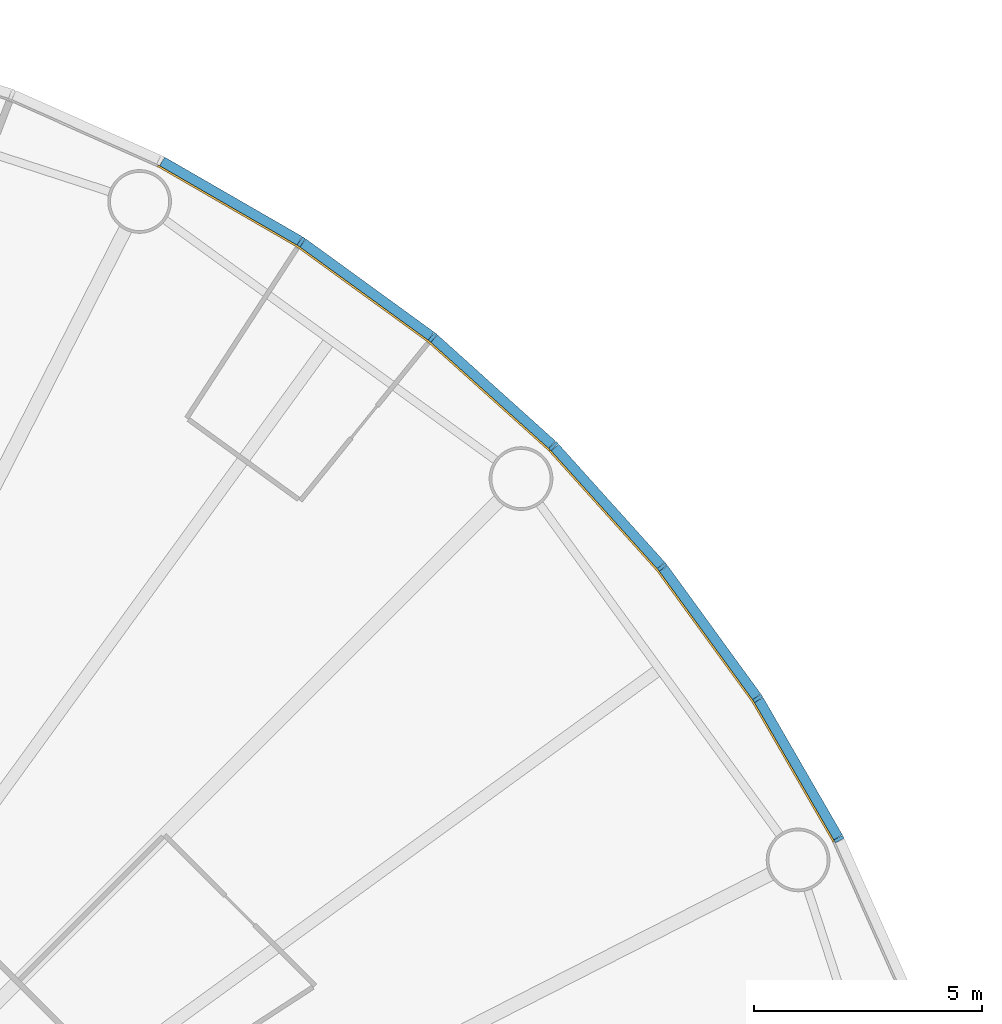
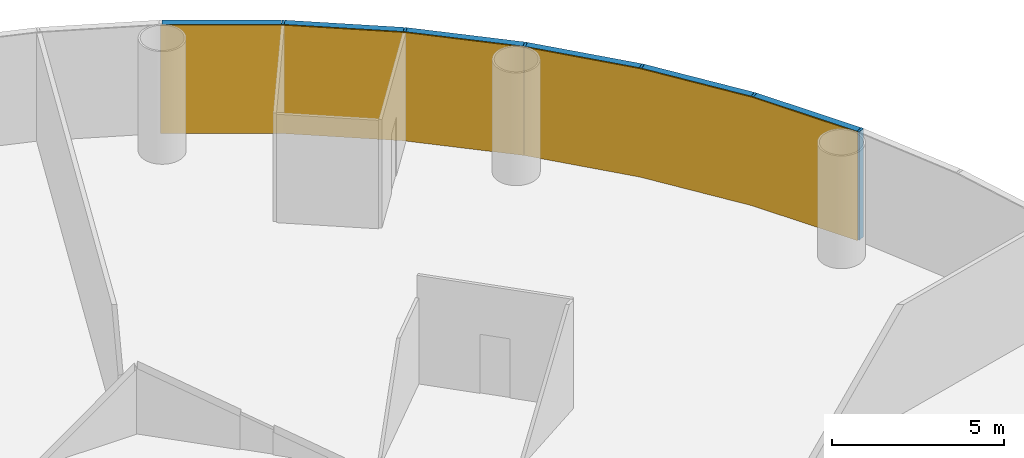
# One storey, part 10 of 13: 12 members, 2 curtain walls.
"""IFC4 building model written with IfcOpenShell, lengths in metres."""

from ifc_helpers import new_model, si_unit, direction, frame, origin, origin_2d, place, context, subcontext, project, spatial, polyline, rectangle, outline, extrude, material, layer, layer_set, material_profile, profile_set, type_object, element, aggregate, save


model = new_model("IFC4")

# Units and contexts
model_context = context("Model", 3, precision=1e-05, world=origin(), true_north=direction((0.0, 1.0)))
body_context = subcontext(model_context, "Body", "Model", "MODEL_VIEW")
ifc_project = project(units=[si_unit("LENGTHUNIT", "METRE"), si_unit("AREAUNIT", "SQUARE_METRE"), si_unit("VOLUMEUNIT", "CUBIC_METRE"), si_unit("PLANEANGLEUNIT", "RADIAN"), si_unit("MASSUNIT", "GRAM", prefix="KILO")], contexts=[model_context])

# Member
ifc_material_1 = material(Name="Anodised aluminium", Category="aluminium")
ifc_material_profile_1 = material_profile(ifc_material_1, rectangle(XDim=0.074951171875, YDim=0.219970703125, at=origin_2d()), Name="Mullion 75 x 220 mm anodised aluminium")
ifc_profile_set_1 = profile_set([ifc_material_profile_1], Name="Anodised aluminium")
member_type_1 = type_object("IfcMemberType", Name="Mullion 75 x 220 mm anodised aluminium", PredefinedType="MULLION", material=ifc_profile_set_1)
site_placement = place(None, origin())
building_placement = place(site_placement, origin())
storey_placement = place(building_placement, frame((0.0, 0.0, 22.0)))
member_1_placement = place(storey_placement, frame((120.392333984375, 95.485595703125, 0.0), z_axis=(0.0, 0.0, 1.0), x_axis=(-0.45399049974, 0.891006524188, 0.0)))
member_1 = element("IfcMember", 1, at=member_1_placement, type_object=member_type_1, Name="MULLION L03-03", PredefinedType="MULLION", context=body_context, shape_type="SweptSolid", body=[
    extrude(rectangle(XDim=0.074951171875, YDim=0.219970703125, at=origin_2d()), origin(), (0.0, 0.0, 1.0), 3.85009765625),
])

member_2_placement = place(storey_placement, frame((118.60693359375, 98.57763671875, 0.0), z_axis=(0.0, 0.0, 1.0), x_axis=(-0.544639035015, 0.838670567945, 0.0)))
member_2 = element("IfcMember", 2, at=member_2_placement, type_object=member_type_1, Name="MULLION L03-04", PredefinedType="MULLION", context=body_context, shape_type="SweptSolid", body=[
    extrude(rectangle(XDim=0.074951171875, YDim=0.219970703125, at=origin_2d()), origin(), (0.0, 0.0, 1.0), 3.85009765625),
])

member_3_placement = place(storey_placement, frame((116.508544921875, 101.466064453125, 0.0), z_axis=(0.0, 0.0, 1.0), x_axis=(-0.62932039105, 0.777145961457, 0.0)))
member_3 = element("IfcMember", 3, at=member_3_placement, type_object=member_type_1, Name="MULLION L03-05", PredefinedType="MULLION", context=body_context, shape_type="SweptSolid", body=[
    extrude(rectangle(XDim=0.074951171875, YDim=0.219970703125, at=origin_2d()), origin(), (0.0, 0.0, 1.0), 3.85009765625),
])

member_4_placement = place(storey_placement, frame((114.119384765625, 104.119384765625, 0.0), z_axis=(0.0, 0.0, 1.0), x_axis=(-0.707106781187, 0.707106781187, 0.0)))
member_4 = element("IfcMember", 4, at=member_4_placement, type_object=member_type_1, Name="MULLION L03-06", PredefinedType="MULLION", context=body_context, shape_type="SweptSolid", body=[
    extrude(rectangle(XDim=0.074951171875, YDim=0.219970703125, at=origin_2d()), origin(), (0.0, 0.0, 1.0), 3.85009765625),
])

member_5_placement = place(storey_placement, frame((111.466064453125, 106.508544921875, 0.0), z_axis=(0.0, 0.0, 1.0), x_axis=(-0.777145961457, 0.62932039105, 0.0)))
member_5 = element("IfcMember", 5, at=member_5_placement, type_object=member_type_1, Name="MULLION L03-07", PredefinedType="MULLION", context=body_context, shape_type="SweptSolid", body=[
    extrude(rectangle(XDim=0.074951171875, YDim=0.219970703125, at=origin_2d()), origin(), (0.0, 0.0, 1.0), 3.85009765625),
])

member_6_placement = place(storey_placement, frame((108.57763671875, 108.60693359375, 0.0), z_axis=(0.0, 0.0, 1.0), x_axis=(-0.838670567945, 0.544639035015, 0.0)))
member_6 = element("IfcMember", 6, at=member_6_placement, type_object=member_type_1, Name="MULLION L03-08", PredefinedType="MULLION", context=body_context, shape_type="SweptSolid", body=[
    extrude(rectangle(XDim=0.074951171875, YDim=0.219970703125, at=origin_2d()), origin(), (0.0, 0.0, 1.0), 3.85009765625),
])

ifc_material_2 = material(Name="Anodised aluminium", Category="aluminium")
ifc_material_profile_2 = material_profile(ifc_material_2, rectangle(XDim=0.219970703125, YDim=0.199951171875, at=origin_2d()), Name="Transom 200 x 220 mm anodised aluminium")
ifc_profile_set_2 = profile_set([ifc_material_profile_2], Name="Anodised aluminium")
member_type_2 = type_object("IfcMemberType", Name="Transom 200 x 220 mm anodised aluminium", PredefinedType="USERDEFINED", material=ifc_profile_set_2)
member_7_placement = place(storey_placement, frame((120.370849609375, 95.523193359375, 3.75), z_axis=(-0.500005538244, 0.866022206254, 0.0), x_axis=(-0.866022206254, -0.500005538244, 0.0)))
member_7 = element("IfcMember", 7, at=member_7_placement, type_object=member_type_2, Name="TRANSOM L03-03", ObjectType="TRANSOM", PredefinedType="USERDEFINED", context=body_context, shape_type="SweptSolid", body=[
    extrude(rectangle(XDim=0.219970703125, YDim=0.199951171875, at=origin_2d()), origin(), (0.0, 0.0, 1.0), 3.48388671875),
])

member_8_placement = place(storey_placement, frame((118.581787109375, 98.61279296875, 3.75), z_axis=(-0.587821627006, 0.80899056535, 0.0), x_axis=(-0.80899056535, -0.587821627006, 0.0)))
member_8 = element("IfcMember", 8, at=member_8_placement, type_object=member_type_2, Name="TRANSOM L03-04", ObjectType="TRANSOM", PredefinedType="USERDEFINED", context=body_context, shape_type="SweptSolid", body=[
    extrude(rectangle(XDim=0.219970703125, YDim=0.199951171875, at=origin_2d()), origin(), (0.0, 0.0, 1.0), 3.48388671875),
])

member_9_placement = place(storey_placement, frame((116.479736328125, 101.498291015625, 3.75), z_axis=(-0.669138930974, 0.743137329876, 0.0), x_axis=(-0.743137329876, -0.669138930974, 0.0)))
member_9 = element("IfcMember", 9, at=member_9_placement, type_object=member_type_2, Name="TRANSOM L03-05", ObjectType="TRANSOM", PredefinedType="USERDEFINED", context=body_context, shape_type="SweptSolid", body=[
    extrude(rectangle(XDim=0.219970703125, YDim=0.199951171875, at=origin_2d()), origin(), (0.0, 0.0, 1.0), 3.484130859375),
])

member_10_placement = place(storey_placement, frame((114.08740234375, 104.1484375, 3.75), z_axis=(-0.743137329876, 0.669138930974, 0.0), x_axis=(-0.669138930974, -0.743137329876, 0.0)))
member_10 = element("IfcMember", 10, at=member_10_placement, type_object=member_type_2, Name="TRANSOM L03-06", ObjectType="TRANSOM", PredefinedType="USERDEFINED", context=body_context, shape_type="SweptSolid", body=[
    extrude(rectangle(XDim=0.219970703125, YDim=0.199951171875, at=origin_2d()), origin(), (0.0, 0.0, 1.0), 3.484130859375),
])

member_11_placement = place(storey_placement, frame((111.43115234375, 106.533935546875, 3.75), z_axis=(-0.80899056535, 0.587821627006, 0.0), x_axis=(-0.587821627006, -0.80899056535, 0.0)))
member_11 = element("IfcMember", 11, at=member_11_placement, type_object=member_type_2, Name="TRANSOM L03-07", ObjectType="TRANSOM", PredefinedType="USERDEFINED", context=body_context, shape_type="SweptSolid", body=[
    extrude(rectangle(XDim=0.219970703125, YDim=0.199951171875, at=origin_2d()), origin(), (0.0, 0.0, 1.0), 3.48388671875),
])

member_12_placement = place(storey_placement, frame((108.540283203125, 108.62890625, 3.75), z_axis=(-0.866022206254, 0.500005538244, 0.0), x_axis=(-0.500005538244, -0.866022206254, 0.0)))
member_12 = element("IfcMember", 12, at=member_12_placement, type_object=member_type_2, Name="TRANSOM L03-08", ObjectType="TRANSOM", PredefinedType="USERDEFINED", context=body_context, shape_type="SweptSolid", body=[
    extrude(rectangle(XDim=0.219970703125, YDim=0.199951171875, at=origin_2d()), origin(), (0.0, 0.0, 1.0), 3.48388671875),
])

# Site, building, storey
site = spatial("IfcSite", under=ifc_project, at=site_placement, CompositionType="ELEMENT")
building = spatial("IfcBuilding", under=site, at=building_placement, Name="Entoto Ring Tower", CompositionType="ELEMENT")
storey = spatial("IfcBuildingStorey", under=building, at=storey_placement, Name="L03", CompositionType="ELEMENT", Elevation=22.0)

# Curtain wall
ifc_material_3 = material(Name="Clear low-iron glass", Category="glass")
ifc_layer = layer(ifc_material_3, 0.0400390625)
ifc_layer_set = layer_set([ifc_layer], Name="Clear low-iron glass")
curtain_wall_type = type_object("IfcCurtainWallType", Name="Curtain wall system CW1 glazing 40 mm", PredefinedType="NOTDEFINED", material=ifc_layer_set)
curtain_wall_1_placement = place(storey_placement, origin())
curtain_wall_1 = element("IfcCurtainWall", 13, at=curtain_wall_1_placement, inside=storey, type_object=curtain_wall_type, Name="CW1 L03-02", PredefinedType="NOTDEFINED", context=body_context, shape_type="SweptSolid", body=[
    extrude(outline(polyline([(120.294189453125, 95.435791015625), (118.514892578125, 98.517822265625), (116.4228515625, 101.39697265625), (114.041748046875, 104.041748046875), (114.013427734375, 104.013427734375), (116.391845703125, 101.37158203125), (118.481201171875, 98.495849609375), (120.258544921875, 95.41748046875), (120.294189453125, 95.435791015625)])), origin(), (0.0, 0.0, 1.0), 3.85009765625),
])

aggregate(curtain_wall_1, [member_1, member_2, member_3, member_7, member_8, member_9])

curtain_wall_2_placement = place(storey_placement, origin())
curtain_wall_2 = element("IfcCurtainWall", 14, at=curtain_wall_2_placement, inside=storey, type_object=curtain_wall_type, Name="CW1 L03-03", PredefinedType="NOTDEFINED", context=body_context, shape_type="SweptSolid", body=[
    extrude(outline(polyline([(114.041748046875, 104.041748046875), (111.39697265625, 106.4228515625), (108.517822265625, 108.514892578125), (105.435791015625, 110.294189453125), (105.41748046875, 110.258544921875), (108.495849609375, 108.481201171875), (111.37158203125, 106.391845703125), (114.013427734375, 104.013427734375), (114.041748046875, 104.041748046875)])), origin(), (0.0, 0.0, 1.0), 3.85009765625),
])

aggregate(curtain_wall_2, [member_4, member_5, member_6, member_10, member_11, member_12])

save(model, "model.ifc")
